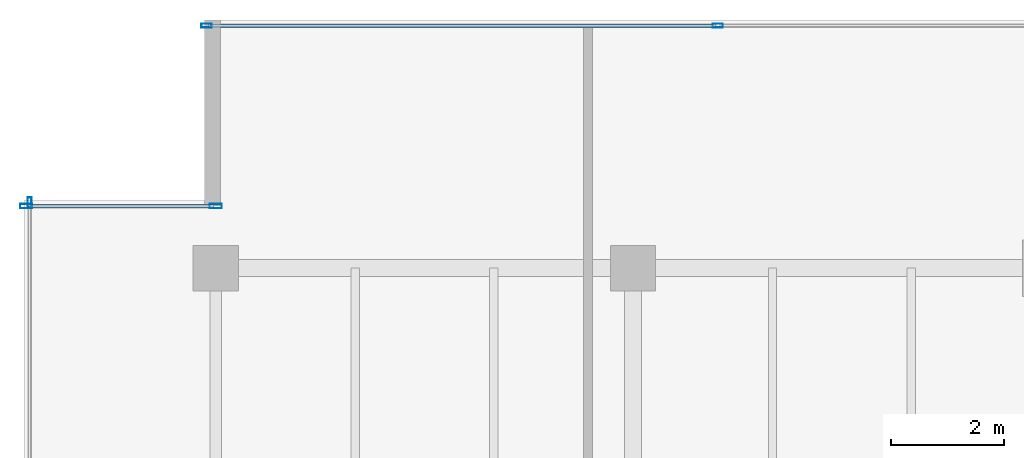
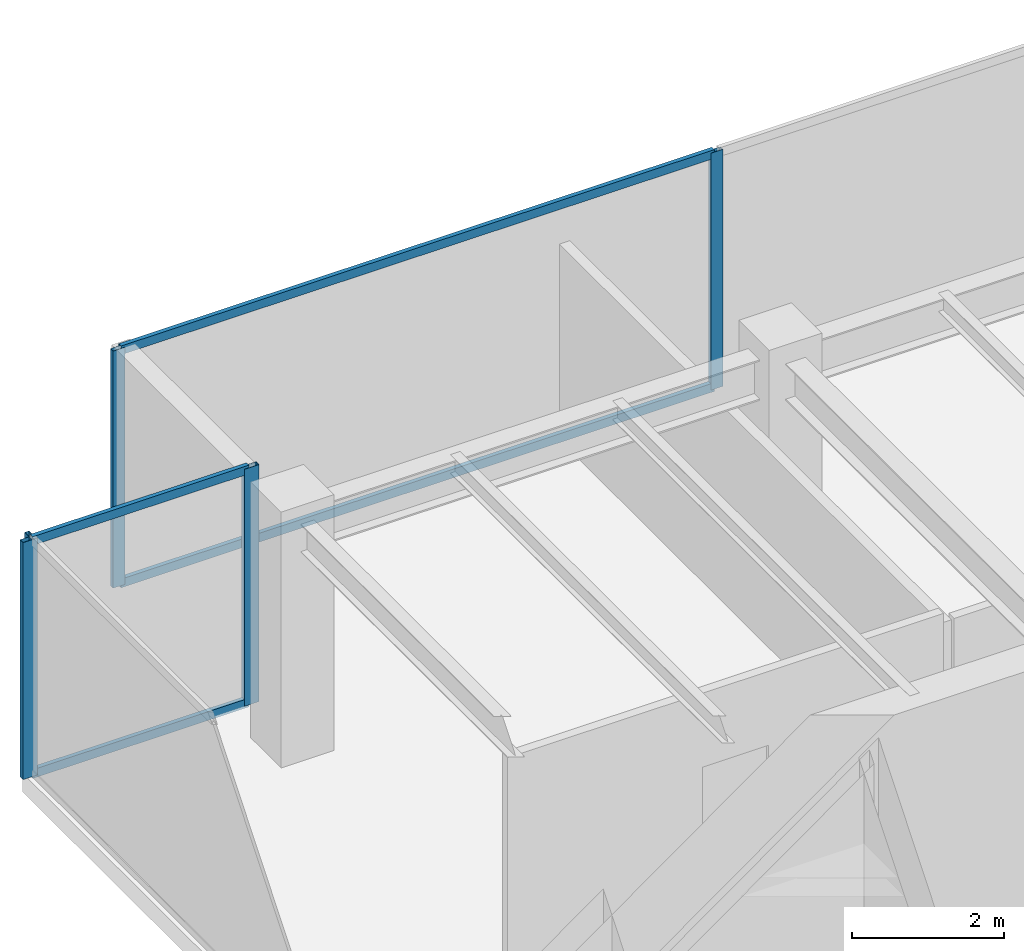
# One storey, part 15 of 33: 9 members, 3 elements without a shape of their own.
"""IFC4 building model written with IfcOpenShell, lengths in metres."""

from ifc_helpers import new_model, si_unit, direction, frame, origin, origin_2d, place, context, subcontext, project, spatial, hollow_rectangle, extrude, source, transform, mapped, material, layer, layer_set, material_profile, profile_set, type_object, type_shapes, element, aggregate, save


model = new_model("IFC4")

# Units and contexts
model_context = context("Model", 3, precision=1e-05, world=origin(), true_north=direction((0.0, 1.0)))
body_context = subcontext(model_context, "Body", "Model", "MODEL_VIEW")
ifc_project = project(units=[si_unit("LENGTHUNIT", "METRE"), si_unit("AREAUNIT", "SQUARE_METRE"), si_unit("VOLUMEUNIT", "CUBIC_METRE"), si_unit("PLANEANGLEUNIT", "RADIAN"), si_unit("MASSUNIT", "GRAM", prefix="KILO")], contexts=[model_context])

# Site, building, storey
site_placement = place(None, origin())
site = spatial("IfcSite", under=ifc_project, at=site_placement, CompositionType="ELEMENT")
building_placement = place(site_placement, origin())
building = spatial("IfcBuilding", under=site, at=building_placement, Name="Haelvirn Gate Laboratories", CompositionType="ELEMENT")
storey_placement = place(building_placement, frame((0.0, 0.0, 213.699951171875)))
storey = spatial("IfcBuildingStorey", under=building, at=storey_placement, Name="L51", CompositionType="ELEMENT", Elevation=213.699951171875)

# Curtain wall, members
ifc_material_1 = material(Name="Anodised bronze unitised aluminium & triple low-E glass", Category="aluminium")
ifc_layer_1 = layer(ifc_material_1, 0.181884765625, Name="CW-SYS-5")
ifc_layer_set_1 = layer_set([ifc_layer_1], Name="Anodised bronze unitised aluminium & triple low-E glass")
curtain_wall_type_1 = type_object("IfcCurtainWallType", Name="CW-SYS-5", PredefinedType="NOTDEFINED", material=ifc_layer_set_1)
curtain_wall_1_placement = place(storey_placement, origin())
curtain_wall_1 = element("IfcCurtainWall", 1, at=curtain_wall_1_placement, inside=storey, type_object=curtain_wall_type_1, Name="L51 Unitised Curtain Wall CW-L51-P0-E16-1", PredefinedType="NOTDEFINED")
ifc_material_2 = material(Name="Extruded aluminium 6063-T6 (anodised bronze)", Category="aluminium")
ifc_material_profile_1 = material_profile(ifc_material_2, hollow_rectangle(XDim=0.06494140625, YDim=0.139892578125, WallThickness=0.00390625, at=origin_2d()), Name="CWT-140x65x4")
ifc_profile_set_1 = profile_set([ifc_material_profile_1], Name="Extruded aluminium 6063-T6 (anodised bronze)")
member_type_1 = type_object("IfcMemberType", Name="CWT-T140", PredefinedType="USERDEFINED", material=ifc_profile_set_1)
shared_shape_1 = source(origin(), body_context, "Body", "SweptSolid", [
    extrude(hollow_rectangle(XDim=0.06494140625, YDim=0.139892578125, WallThickness=0.00390625, at=origin_2d()), origin(), (0.0, 0.0, 1.0), 3.280029296875),
])
member_1_placement = place(storey_placement, frame((4.080078125, 42.699951171875, 0.032470703125), z_axis=(1.0, 0.0, 0.0), x_axis=(0.0, 1.0, 0.0)))
member_1 = element("IfcMember", 2, at=member_1_placement, type_object=member_type_1, Name="CW5 transom 1.1", ObjectType="TRANSOM", PredefinedType="USERDEFINED", context=body_context, shape_type="MappedRepresentation", body=[
    mapped(shared_shape_1, transform((0.0, 0.0, 0.0), scale=1.0)),
])
member_2_placement = place(storey_placement, frame((4.080078125, 42.699951171875, 3.767578125), z_axis=(1.0, 0.0, 0.0), x_axis=(0.0, 1.0, 0.0)))
member_2 = element("IfcMember", 3, at=member_2_placement, type_object=member_type_1, Name="CW5 transom 1.2", ObjectType="TRANSOM", PredefinedType="USERDEFINED", context=body_context, shape_type="MappedRepresentation", body=[
    mapped(shared_shape_1, transform((0.0, 0.0, 0.0), scale=1.0)),
])

ifc_layer_2 = layer(ifc_material_1, 0.176025390625, Name="CW-SYS-4")
ifc_layer_set_2 = layer_set([ifc_layer_2], Name="Anodised bronze unitised aluminium & triple low-E glass")
curtain_wall_type_2 = type_object("IfcCurtainWallType", Name="CW-SYS-4", PredefinedType="NOTDEFINED", material=ifc_layer_set_2)
curtain_wall_2_placement = place(storey_placement, origin())
curtain_wall_2 = element("IfcCurtainWall", 4, at=curtain_wall_2_placement, inside=storey, type_object=curtain_wall_type_2, Name="L51 Unitised Curtain Wall CW-L51-P0-E14-1", PredefinedType="NOTDEFINED")
ifc_material_profile_2 = material_profile(ifc_material_2, hollow_rectangle(XDim=0.070068359375, YDim=0.179931640625, WallThickness=0.0048828125, at=origin_2d()), Name="CWM-180x70x5")
ifc_profile_set_2 = profile_set([ifc_material_profile_2], Name="Extruded aluminium 6063-T6 (anodised bronze)")
member_type_2 = type_object("IfcMemberType", Name="CWM-T180", PredefinedType="MULLION", material=ifc_profile_set_2)
shared_shape_2 = source(origin(), body_context, "Body", "SweptSolid", [
    extrude(hollow_rectangle(XDim=0.070068359375, YDim=0.179931640625, WallThickness=0.0048828125, at=origin_2d()), origin(), (0.0, 0.0, 1.0), 3.800048828125),
])
type_shapes(member_type_2, [shared_shape_2])
member_3_placement = place(storey_placement, frame((7.235107421875, 45.89990234375, 0.0), z_axis=(0.0, 0.0, 1.0), x_axis=(0.0, 1.0, 0.0)))
member_3 = element("IfcMember", 5, at=member_3_placement, type_object=member_type_2, Name="CW4 mullion 1", PredefinedType="MULLION", context=body_context, shape_type="MappedRepresentation", body=[
    mapped(shared_shape_2, transform((0.0, 0.0, 0.0), scale=1.0)),
])
member_4_placement = place(storey_placement, frame((16.300048828125, 45.89990234375, 0.0), z_axis=(0.0, 0.0, 1.0), x_axis=(0.0, 1.0, 0.0)))
member_4 = element("IfcMember", 6, at=member_4_placement, type_object=member_type_2, Name="CW4 mullion 2", PredefinedType="MULLION", context=body_context, shape_type="MappedRepresentation", body=[
    mapped(shared_shape_2, transform((0.0, 0.0, 0.0), scale=1.0)),
])

# Curtain wall, member
curtain_wall_3_placement = place(storey_placement, origin())
curtain_wall_3 = element("IfcCurtainWall", 7, at=curtain_wall_3_placement, inside=storey, type_object=curtain_wall_type_2, Name="L51 Unitised Curtain Wall CW-L51-P0-E17", PredefinedType="NOTDEFINED")
member_5_placement = place(storey_placement, frame((4.10009765625, 42.764892578125, 0.0), z_axis=(0.0, 0.0, 1.0), x_axis=(1.0, 0.0, 0.0)))
member_5 = element("IfcMember", 8, at=member_5_placement, type_object=member_type_2, Name="CW4 mullion 1", PredefinedType="MULLION", context=body_context, shape_type="MappedRepresentation", body=[
    mapped(shared_shape_2, transform((0.0, 0.0, 0.0), scale=1.0)),
])
aggregate(curtain_wall_3, [member_5])

# Member
shared_shape_3 = source(origin(), body_context, "Body", "SweptSolid", [
    extrude(hollow_rectangle(XDim=0.06494140625, YDim=0.139892578125, WallThickness=0.00390625, at=origin_2d()), origin(), (0.0, 0.0, 1.0), 8.994873046875),
])
type_shapes(member_type_1, [shared_shape_1, shared_shape_3])
member_6_placement = place(storey_placement, frame((7.27001953125, 45.89990234375, 0.032470703125), z_axis=(1.0, 0.0, 0.0), x_axis=(0.0, 1.0, 0.0)))
member_6 = element("IfcMember", 9, at=member_6_placement, type_object=member_type_1, Name="CW4 transom 1.1", ObjectType="TRANSOM", PredefinedType="USERDEFINED", context=body_context, shape_type="MappedRepresentation", body=[
    mapped(shared_shape_3, transform((0.0, 0.0, 0.0), scale=1.0)),
])

member_7_placement = place(storey_placement, frame((7.27001953125, 45.89990234375, 3.767578125), z_axis=(1.0, 0.0, 0.0), x_axis=(0.0, 1.0, 0.0)))
member_7 = element("IfcMember", 10, at=member_7_placement, type_object=member_type_1, Name="CW4 transom 1.2", ObjectType="TRANSOM", PredefinedType="USERDEFINED", context=body_context, shape_type="MappedRepresentation", body=[
    mapped(shared_shape_3, transform((0.0, 0.0, 0.0), scale=1.0)),
])

aggregate(curtain_wall_2, [member_3, member_4, member_6, member_7])

ifc_material_profile_3 = material_profile(ifc_material_2, hollow_rectangle(XDim=0.080078125, YDim=0.219970703125, WallThickness=0.006103515625, at=origin_2d()), Name="CWM-220x80x6")
ifc_profile_set_3 = profile_set([ifc_material_profile_3], Name="Extruded aluminium 6063-T6 (anodised bronze)")
member_type_3 = type_object("IfcMemberType", Name="CWM-T220", PredefinedType="MULLION", material=ifc_profile_set_3)
shared_shape_4 = source(origin(), body_context, "Body", "SweptSolid", [
    extrude(hollow_rectangle(XDim=0.080078125, YDim=0.219970703125, WallThickness=0.006103515625, at=origin_2d()), origin(), (0.0, 0.0, 1.0), 3.800048828125),
])
type_shapes(member_type_3, [shared_shape_4])
member_8_placement = place(storey_placement, frame((4.0400390625, 42.699951171875, 0.0), z_axis=(0.0, 0.0, 1.0), x_axis=(0.0, 1.0, 0.0)))
member_8 = element("IfcMember", 11, at=member_8_placement, type_object=member_type_3, Name="CW5 mullion 1", PredefinedType="MULLION", context=body_context, shape_type="MappedRepresentation", body=[
    mapped(shared_shape_4, transform((0.0, 0.0, 0.0), scale=1.0)),
])

member_9_placement = place(storey_placement, frame((7.39990234375, 42.699951171875, 0.0), z_axis=(0.0, 0.0, 1.0), x_axis=(0.0, 1.0, 0.0)))
member_9 = element("IfcMember", 12, at=member_9_placement, type_object=member_type_3, Name="CW5 mullion 2", PredefinedType="MULLION", context=body_context, shape_type="MappedRepresentation", body=[
    mapped(shared_shape_4, transform((0.0, 0.0, 0.0), scale=1.0)),
])

aggregate(curtain_wall_1, [member_8, member_9, member_1, member_2])

save(model, "model.ifc")
